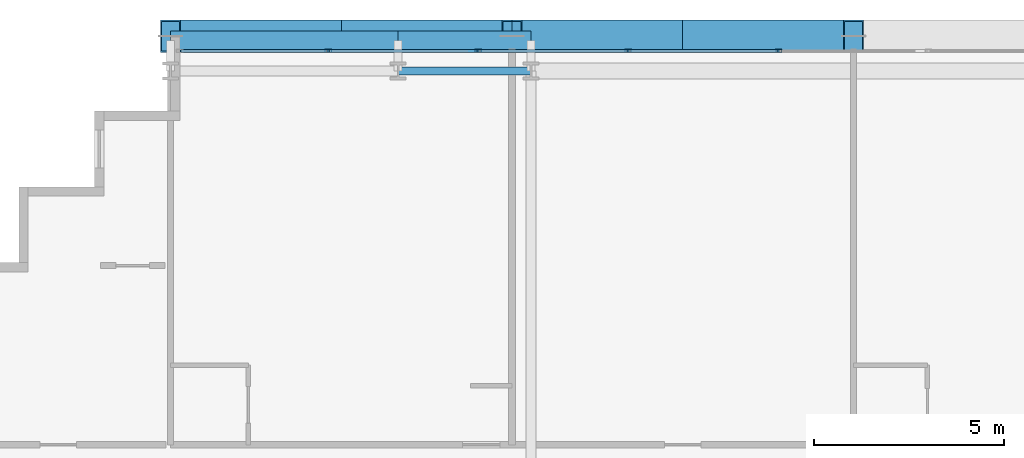
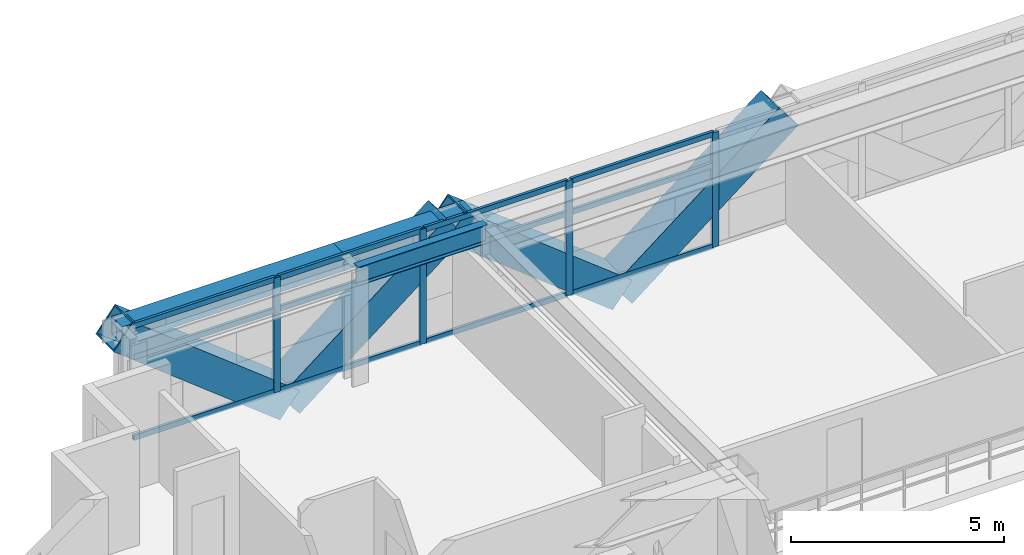
# One storey, part 18 of 35: 20 members, 3 beams, 1 element without a shape of its own.
"""IFC4 building model written with IfcOpenShell, lengths in metres."""

import ifcopenshell
import ifcopenshell.guid

model = None  # the IFC model being written
_history = None  # IfcOwnerHistory: only IFC2X3 demands one
_inside = {}  # id of a spatial element -> (the spatial element, [elements in it])
_under = {}  # id of a project, library or spatial element -> (it, [spatial elements below it])
_declared = {}  # id of a project -> (the project, [libraries it declares])
_typed = {}  # id of a type object -> (the type object, [elements of that type])
_made_of = {}  # id of a material, layer set ... -> (it, [elements and type objects made of it])


def new_model(schema):
    """Start an empty IFC model of exactly this schema.

    Asked for "IFC4X3", IfcOpenShell would pick the latest addendum, in which some entities
    have other attributes; the version numbers below select the first issue.
    IFC2X3 requires an IfcOwnerHistory on every rooted entity: one is made here for all.
    """
    global model, _history
    if schema == "IFC4X3":
        model = ifcopenshell.file(schema_version=(4, 3, 0, 0))
    else:
        model = ifcopenshell.file(schema=schema)
    _inside.clear()
    _under.clear()
    _declared.clear()
    _typed.clear()
    _made_of.clear()
    _history = None
    if model.schema == "IFC2X3":
        org = make("IfcOrganization", Name="unknown")
        user = make(
            "IfcPersonAndOrganization",
            ThePerson=make("IfcPerson", FamilyName="unknown"),
            TheOrganization=org,
        )
        app = make(
            "IfcApplication",
            ApplicationDeveloper=org,
            Version="unknown",
            ApplicationFullName="unknown",
            ApplicationIdentifier="unknown",
        )
        _history = make(
            "IfcOwnerHistory",
            OwningUser=user,
            OwningApplication=app,
            ChangeAction="ADDED",
            CreationDate=0,
        )
    return model


def make(cls, **values):
    """One entity of the class cls with the attributes given. An attribute that is None is left unset."""
    return model.create_entity(
        cls, **{name: value for name, value in values.items() if value is not None}
    )


def rooted(cls, **values):
    """An entity with a GlobalId (a new one), such as an element, a storey or a relation."""
    return make(cls, GlobalId=ifcopenshell.guid.new(), OwnerHistory=_history, **values)


def si_unit(unit_type, name, prefix=None):
    """IfcSIUnit, for example si_unit("LENGTHUNIT", "METRE", prefix="MILLI")."""
    return make("IfcSIUnit", UnitType=unit_type, Prefix=prefix, Name=name)


def assignment(units):
    """IfcUnitAssignment: the units of a project."""
    return None if units is None else make("IfcUnitAssignment", Units=units)


def point(xyz):
    """IfcCartesianPoint."""
    return None if xyz is None else make("IfcCartesianPoint", Coordinates=xyz)


def direction(xyz):
    """IfcDirection."""
    return None if xyz is None else make("IfcDirection", DirectionRatios=xyz)


def frame(location, z_axis=None, x_axis=None):
    """IfcAxis2Placement3D, a coordinate frame: its origin and axes. An axis left out is left unset."""
    return make(
        "IfcAxis2Placement3D",
        Location=point(location),
        Axis=direction(z_axis),
        RefDirection=direction(x_axis),
    )


def frame_2d(location, x_axis=None):
    """IfcAxis2Placement2D, a coordinate frame in the plane: its origin and x axis."""
    return make(
        "IfcAxis2Placement2D", Location=point(location), RefDirection=direction(x_axis)
    )


def origin():
    """The frame at (0, 0, 0) with its axes left unset."""
    return frame((0.0, 0.0, 0.0))


def origin_2d():
    """The frame at (0, 0) in the plane with its x axis left unset."""
    return frame_2d((0.0, 0.0))


def place(relative_to, where):
    """IfcLocalPlacement: puts the frame where relative to a parent placement (None: the world)."""
    return make(
        "IfcLocalPlacement", PlacementRelTo=relative_to, RelativePlacement=where
    )


def context(
    kind, dimensions, precision=None, world=None, true_north=None, identifier=None
):
    """IfcGeometricRepresentationContext, for example the 3D "Model" context."""
    return make(
        "IfcGeometricRepresentationContext",
        ContextIdentifier=identifier,
        ContextType=kind,
        CoordinateSpaceDimension=dimensions,
        Precision=precision,
        WorldCoordinateSystem=world,
        TrueNorth=true_north,
    )


def subcontext(parent, identifier, kind, view, scale=None):
    """IfcGeometricRepresentationSubContext, for example "Body" below "Model"."""
    return make(
        "IfcGeometricRepresentationSubContext",
        ContextIdentifier=identifier,
        ContextType=kind,
        ParentContext=parent,
        TargetScale=scale,
        TargetView=view,
    )


def project(units=None, contexts=None):
    """IfcProject with its units and contexts."""
    return rooted(
        "IfcProject",
        Name="project",
        RepresentationContexts=contexts,
        UnitsInContext=assignment(units),
    )


def spatial(cls, under=None, at=None, **own):
    """A site, building, storey or space (cls), placed at a placement, below another one or the project."""
    s = rooted(cls, ObjectPlacement=at, **own)
    if under is not None:
        _under.setdefault(under.id(), (under, []))[1].append(s)
    return s


def profile(cls, at=None, kind="AREA", **sizes):
    """A parametric profile (cls). Its sizes go by their IFC names, for example OverallWidth=200.0."""
    return make(cls, ProfileType=kind, Position=at, **sizes)


def hollow_rectangle(**sizes):
    """IfcRectangleHollowProfileDef."""
    return profile("IfcRectangleHollowProfileDef", **sizes)


def i_section(**sizes):
    """IfcIShapeProfileDef."""
    return profile("IfcIShapeProfileDef", **sizes)


def extrude(swept, where, along, depth):
    """IfcExtrudedAreaSolid: the profile swept, set in the frame where, extruded along a direction by depth."""
    return make(
        "IfcExtrudedAreaSolid",
        SweptArea=swept,
        Position=where,
        ExtrudedDirection=direction(along),
        Depth=depth,
    )


def shape(context_of_items, identifier, shape_type, items):
    """IfcShapeRepresentation: the items that make up one representation, for example the "Body"."""
    return make(
        "IfcShapeRepresentation",
        ContextOfItems=context_of_items,
        RepresentationIdentifier=identifier,
        RepresentationType=shape_type,
        Items=items,
    )


def source(mapping_origin, context_of_items, identifier, shape_type, items):
    """IfcRepresentationMap: a shape defined once, which mapped items show again and again."""
    return make(
        "IfcRepresentationMap",
        MappingOrigin=mapping_origin,
        MappedRepresentation=shape(context_of_items, identifier, shape_type, items),
    )


def transform(
    local_origin,
    x_axis=None,
    y_axis=None,
    z_axis=None,
    scale=None,
    scale2=None,
    scale3=None,
    uniform=True,
):
    """IfcCartesianTransformationOperator3D, or its non-uniform kind. x_axis, y_axis, z_axis: its Axis1, 2, 3."""
    if uniform:
        return make(
            "IfcCartesianTransformationOperator3D",
            Axis1=direction(x_axis),
            Axis2=direction(y_axis),
            LocalOrigin=point(local_origin),
            Scale=scale,
            Axis3=direction(z_axis),
        )
    return make(
        "IfcCartesianTransformationOperator3DnonUniform",
        Axis1=direction(x_axis),
        Axis2=direction(y_axis),
        LocalOrigin=point(local_origin),
        Scale=scale,
        Axis3=direction(z_axis),
        Scale2=scale2,
        Scale3=scale3,
    )


def mapped(mapping_source, mapping_target):
    """IfcMappedItem: shows the shape of a source again, moved by a transform."""
    return make(
        "IfcMappedItem", MappingSource=mapping_source, MappingTarget=mapping_target
    )


def material(Name=None, Category=None):
    """IfcMaterial."""
    return make("IfcMaterial", Name=Name, Category=Category)


def layer(
    of_material, thickness, ventilated=None, Name=None, Category=None, Priority=None
):
    """IfcMaterialLayer: one layer of a wall or slab, of a material (None: an air gap)."""
    return make(
        "IfcMaterialLayer",
        Material=of_material,
        LayerThickness=thickness,
        IsVentilated=ventilated,
        Name=Name,
        Category=Category,
        Priority=Priority,
    )


def layer_set(layers, Name=None):
    """IfcMaterialLayerSet."""
    return make("IfcMaterialLayerSet", MaterialLayers=layers, LayerSetName=Name)


def material_profile(
    of_material, cross_section, Name=None, Category=None, Priority=None
):
    """IfcMaterialProfile: a cross section and its material."""
    return make(
        "IfcMaterialProfile",
        Name=Name,
        Material=of_material,
        Profile=cross_section,
        Priority=Priority,
        Category=Category,
    )


def profile_set(profiles, Name=None, composite=None):
    """IfcMaterialProfileSet."""
    return make(
        "IfcMaterialProfileSet",
        Name=Name,
        MaterialProfiles=profiles,
        CompositeProfile=composite,
    )


def made_of(thing, what):
    """Note that an element or type object is made of a material, layer set ...; save() writes the relation."""
    if what is not None:
        _made_of.setdefault(what.id(), (what, []))[1].append(thing)
    return thing


def type_object(cls, material=None, **own):
    """A type object (cls), such as IfcWallType, which elements share."""
    return made_of(rooted(cls, **own), material)


def element(
    cls,
    number,
    at=None,
    inside=None,
    cuts=None,
    type_object=None,
    material=None,
    context=None,
    identifier="Body",
    shape_type=None,
    held_by="IfcProductDefinitionShape",
    body=None,
    shapes=None,
    **own,
):
    """One element of the class cls, such as IfcWall. Its Tag is "e" and its number.

    at: its placement. inside: the storey or other place that contains it. cuts: it is an
    opening in that element (IfcRelVoidsElement). A single representation is given by context,
    identifier, shape_type and body (its items); several are given by shapes. held_by: the class
    of the entity that holds the representations. save() writes the other relations.
    """
    e = rooted(cls, Tag="e%d" % number, ObjectPlacement=at, **own)
    if body is not None:
        shapes = [shape(context, identifier, shape_type, body)]
    if shapes is not None:
        e.Representation = make(held_by, Representations=shapes)
    if inside is not None:
        _inside.setdefault(inside.id(), (inside, []))[1].append(e)
    if cuts is not None:
        rooted(
            "IfcRelVoidsElement", RelatingBuildingElement=cuts, RelatedOpeningElement=e
        )
    if type_object is not None:
        _typed.setdefault(type_object.id(), (type_object, []))[1].append(e)
    return made_of(e, material)


def aggregate(whole, parts):
    """IfcRelAggregates: a whole, such as a stair, and the parts it consists of."""
    return rooted("IfcRelAggregates", RelatingObject=whole, RelatedObjects=parts)


def save(model, path):
    """Write the relations noted so far, then the file.

    IfcRelAggregates (storeys below a building ...), IfcRelContainedInSpatialStructure (elements
    in a storey), IfcRelDefinesByType, IfcRelAssociatesMaterial and IfcRelDeclares: one each for
    every whole, place, type object, material and project.
    """
    for whole, parts in _under.values():
        aggregate(whole, parts)
    for where, things in _inside.values():
        rooted(
            "IfcRelContainedInSpatialStructure",
            RelatedElements=things,
            RelatingStructure=where,
        )
    for kind, things in _typed.values():
        rooted("IfcRelDefinesByType", RelatedObjects=things, RelatingType=kind)
    for what, things in _made_of.values():
        rooted("IfcRelAssociatesMaterial", RelatedObjects=things, RelatingMaterial=what)
    for by, libraries in _declared.values():
        rooted("IfcRelDeclares", RelatingContext=by, RelatedDefinitions=libraries)
    model.write(path)


model = new_model("IFC4")

# Units and contexts
model_context = context("Model", 3, precision=1e-05, world=origin(), true_north=direction((0.0, 1.0)))
body_context = subcontext(model_context, "Body", "Model", "MODEL_VIEW")
ifc_project = project(units=[si_unit("LENGTHUNIT", "METRE"), si_unit("AREAUNIT", "SQUARE_METRE"), si_unit("VOLUMEUNIT", "CUBIC_METRE"), si_unit("PLANEANGLEUNIT", "RADIAN"), si_unit("MASSUNIT", "GRAM", prefix="KILO")], contexts=[model_context])

# Site, building, storey
site_placement = place(None, origin())
site = spatial("IfcSite", under=ifc_project, at=site_placement, CompositionType="ELEMENT")
building_placement = place(site_placement, origin())
building = spatial("IfcBuilding", under=site, at=building_placement, Name="Ocotamira Hotel", CompositionType="ELEMENT")
storey_placement = place(building_placement, frame((0.0, 0.0, 81.60009765625)))
storey = spatial("IfcBuildingStorey", under=building, at=storey_placement, Name="L20", CompositionType="ELEMENT", Elevation=81.60009765625)

# Beams
ifc_material_1 = material(Name="Steel ASTM A992 Grade 50", Category="steel")
ifc_material_profile_1 = material_profile(ifc_material_1, i_section(OverallWidth=0.2099609375, OverallDepth=0.537109375, WebThickness=0.010986328125, FlangeThickness=0.017333984375, FilletRadius=0.012939453125, at=origin_2d()), Name="W21X68")
ifc_profile_set_1 = profile_set([ifc_material_profile_1], Name="Steel ASTM A992 Grade 50")
beam_type_1 = type_object("IfcBeamType", Name="BM-SEC-W21X68", PredefinedType="JOIST", material=ifc_profile_set_1)
shared_shape_1 = source(origin(), body_context, "Body", "SweptSolid", [
    extrude(i_section(OverallWidth=0.2099609375, OverallDepth=0.537109375, WebThickness=0.010986328125, FlangeThickness=0.017333984375, FilletRadius=0.012939453125, at=origin_2d()), origin(), (0.0, 0.0, 1.0), 3.5),
])
beam_1_placement = place(storey_placement, frame((20.0, 49.050048828125, 3.011474609375), z_axis=(1.0, 0.0, 0.0), x_axis=(0.0, 1.0, 0.0)))
element("IfcBeam", 1, at=beam_1_placement, inside=storey, type_object=beam_type_1, Name="L20 Girder Y49.05 X20-23.5", PredefinedType="JOIST", context=body_context, shape_type="MappedRepresentation", body=[
    mapped(shared_shape_1, transform((0.0, 0.0, 0.0), scale=1.0)),
])
ifc_material_2 = material(Name="Steel ASTM A500 Grade C", Category="steel")
ifc_material_profile_2 = material_profile(ifc_material_2, hollow_rectangle(XDim=0.5, YDim=0.5, WallThickness=0.02001953125, at=origin_2d()), Name="HSS500X500X20")
ifc_profile_set_2 = profile_set([ifc_material_profile_2], Name="Steel ASTM A500 Grade C")
beam_type_2 = type_object("IfcBeamType", Name="BM-SPAN-HSS500", PredefinedType="USERDEFINED", material=ifc_profile_set_2)
shared_shape_2 = source(origin(), body_context, "Body", "SweptSolid", [
    extrude(hollow_rectangle(XDim=0.5, YDim=0.5, WallThickness=0.02001953125, at=origin_2d()), origin(), (0.0, 0.0, 1.0), 6.0),
])
beam_2_placement = place(storey_placement, frame((14.0, 49.85009765625, 3.02978515625), z_axis=(1.0, 0.0, 0.0), x_axis=(0.0, 1.0, 0.0)))
element("IfcBeam", 2, at=beam_2_placement, inside=storey, type_object=beam_type_2, Name="L20 Edge Spandrel N X14-20", ObjectType="SPANDREL", PredefinedType="USERDEFINED", context=body_context, shape_type="MappedRepresentation", body=[
    mapped(shared_shape_2, transform((0.0, 0.0, 0.0), scale=1.0)),
])
shared_shape_3 = source(origin(), body_context, "Body", "SweptSolid", [
    extrude(hollow_rectangle(XDim=0.5, YDim=0.5, WallThickness=0.02001953125, at=origin_2d()), origin(), (0.0, 0.0, 1.0), 3.5),
])
beam_3_placement = place(storey_placement, frame((20.0, 49.85009765625, 3.02978515625), z_axis=(1.0, 0.0, 0.0), x_axis=(0.0, 1.0, 0.0)))
element("IfcBeam", 3, at=beam_3_placement, inside=storey, type_object=beam_type_2, Name="L20 Edge Spandrel N X20-23.5", ObjectType="SPANDREL", PredefinedType="USERDEFINED", context=body_context, shape_type="MappedRepresentation", body=[
    mapped(shared_shape_3, transform((0.0, 0.0, 0.0), scale=1.0)),
])

# Members
ifc_material_3 = material(Name="Pale-metal coated steel ASTM A913 Grade 65", Category="steel")
ifc_material_profile_3 = material_profile(ifc_material_3, hollow_rectangle(XDim=0.85009765625, YDim=0.85009765625, WallThickness=0.035888671875, at=origin_2d()), Name="BOX850X850X36")
ifc_profile_set_3 = profile_set([ifc_material_profile_3], Name="Pale-metal coated steel ASTM A913 Grade 65")
member_type_1 = type_object("IfcMemberType", Name="MEM-EXO-BOX850", PredefinedType="BRACE", material=ifc_profile_set_3)
shared_shape_4 = source(origin(), body_context, "Body", "SweptSolid", [
    extrude(hollow_rectangle(XDim=0.85009765625, YDim=0.85009765625, WallThickness=0.035888671875, at=origin_2d()), origin(), (0.0, 0.0, 1.0), 5.71923828125),
])
for number, where, z_axis, x_axis, name in (
    (4, (18.5, 49.969970703125, -0.5), (-0.786821712922, 0.0, 0.617180356197), (0.0, -1.0, 0.0), "L20 Exoskeleton Diagrid N0.1"),
    (5, (18.5, 49.969970703125, -0.5), (0.786821712922, 0.0, 0.617180356197), (0.0, 1.0, 0.0), "L20 Exoskeleton Diagrid N0.2"),
    (6, (27.5, 49.969970703125, -0.5), (-0.786821712922, 0.0, 0.617180356197), (0.0, -1.0, 0.0), "L20 Exoskeleton Diagrid N1.1"),
    (7, (27.5, 49.969970703125, -0.5), (0.786821712922, 0.0, 0.617180356197), (0.0, 1.0, 0.0), "L20 Exoskeleton Diagrid N1.2"),
):
    element("IfcMember", number, at=place(storey_placement, frame(where, z_axis=z_axis, x_axis=x_axis)), inside=storey, type_object=member_type_1, Name=name, PredefinedType="BRACE", context=body_context, shape_type="MappedRepresentation", body=[
        mapped(shared_shape_4, transform((0.0, 0.0, 0.0), scale=1.0)),
    ])

# Curtain wall, members
ifc_material_4 = material(Name="Anodised pale-metal aluminium and solar glass", Category="aluminium")
ifc_layer = layer(ifc_material_4, 0.179931640625)
ifc_layer_set = layer_set([ifc_layer], Name="Anodised pale-metal aluminium and solar glass")
curtain_wall_type = type_object("IfcCurtainWallType", Name="CW-SYS2-Z1", PredefinedType="NOTDEFINED", material=ifc_layer_set)
curtain_wall_placement = place(storey_placement, origin())
curtain_wall = element("IfcCurtainWall", 8, at=curtain_wall_placement, inside=storey, type_object=curtain_wall_type, Name="L20 Curtain Wall CW-2 CW-L20-N", PredefinedType="NOTDEFINED")
ifc_material_5 = material(Name="Anodised pale-metal aluminium 6063-T6", Category="aluminium")
ifc_material_profile_4 = material_profile(ifc_material_5, hollow_rectangle(XDim=0.074951171875, YDim=0.14990234375, WallThickness=0.006103515625, at=origin_2d()), Name="HSS150X75X6")
ifc_profile_set_4 = profile_set([ifc_material_profile_4], Name="Anodised pale-metal aluminium 6063-T6")
member_type_2 = type_object("IfcMemberType", Name="CWT-150X75", PredefinedType="USERDEFINED", material=ifc_profile_set_4)
shared_shape_5 = source(origin(), body_context, "Body", "SweptSolid", [
    extrude(hollow_rectangle(XDim=0.074951171875, YDim=0.14990234375, WallThickness=0.006103515625, at=origin_2d()), origin(), (0.0, 0.0, 1.0), 3.83544921875),
])
member_1_placement = place(storey_placement, frame((14.280029296875, 49.580078125, 0.037353515625), z_axis=(1.0, 0.0, 0.0), x_axis=(0.0, 1.0, 0.0)))
member_1 = element("IfcMember", 9, at=member_1_placement, type_object=member_type_2, Name="CW-2 transom 1.1", ObjectType="TRANSOM", PredefinedType="USERDEFINED", context=body_context, shape_type="MappedRepresentation", body=[
    mapped(shared_shape_5, transform((0.0, 0.0, 0.0), scale=1.0)),
])
member_2_placement = place(storey_placement, frame((14.280029296875, 49.580078125, 2.349853515625), z_axis=(1.0, 0.0, 0.0), x_axis=(0.0, 1.0, 0.0)))
member_2 = element("IfcMember", 10, at=member_2_placement, type_object=member_type_2, Name="CW-2 transom 1.2", ObjectType="TRANSOM", PredefinedType="USERDEFINED", context=body_context, shape_type="MappedRepresentation", body=[
    mapped(shared_shape_5, transform((0.0, 0.0, 0.0), scale=1.0)),
])
member_3_placement = place(storey_placement, frame((14.280029296875, 49.580078125, 3.242431640625), z_axis=(1.0, 0.0, 0.0), x_axis=(0.0, 1.0, 0.0)))
member_3 = element("IfcMember", 11, at=member_3_placement, type_object=member_type_2, Name="CW-2 transom 1.3", ObjectType="TRANSOM", PredefinedType="USERDEFINED", context=body_context, shape_type="MappedRepresentation", body=[
    mapped(shared_shape_5, transform((0.0, 0.0, 0.0), scale=1.0)),
])
shared_shape_6 = source(origin(), body_context, "Body", "SweptSolid", [
    extrude(hollow_rectangle(XDim=0.074951171875, YDim=0.14990234375, WallThickness=0.006103515625, at=origin_2d()), origin(), (0.0, 0.0, 1.0), 3.87548828125),
])
member_4_placement = place(storey_placement, frame((18.195556640625, 49.580078125, 0.037353515625), z_axis=(1.0, 0.0, 0.0), x_axis=(0.0, 1.0, 0.0)))
member_4 = element("IfcMember", 12, at=member_4_placement, type_object=member_type_2, Name="CW-2 transom 2.1", ObjectType="TRANSOM", PredefinedType="USERDEFINED", context=body_context, shape_type="MappedRepresentation", body=[
    mapped(shared_shape_6, transform((0.0, 0.0, 0.0), scale=1.0)),
])
member_5_placement = place(storey_placement, frame((18.195556640625, 49.580078125, 2.349853515625), z_axis=(1.0, 0.0, 0.0), x_axis=(0.0, 1.0, 0.0)))
member_5 = element("IfcMember", 13, at=member_5_placement, type_object=member_type_2, Name="CW-2 transom 2.2", ObjectType="TRANSOM", PredefinedType="USERDEFINED", context=body_context, shape_type="MappedRepresentation", body=[
    mapped(shared_shape_6, transform((0.0, 0.0, 0.0), scale=1.0)),
])
member_6_placement = place(storey_placement, frame((18.195556640625, 49.580078125, 3.242431640625), z_axis=(1.0, 0.0, 0.0), x_axis=(0.0, 1.0, 0.0)))
member_6 = element("IfcMember", 14, at=member_6_placement, type_object=member_type_2, Name="CW-2 transom 2.3", ObjectType="TRANSOM", PredefinedType="USERDEFINED", context=body_context, shape_type="MappedRepresentation", body=[
    mapped(shared_shape_6, transform((0.0, 0.0, 0.0), scale=1.0)),
])
member_7_placement = place(storey_placement, frame((22.151123046875, 49.580078125, 0.037353515625), z_axis=(1.0, 0.0, 0.0), x_axis=(0.0, 1.0, 0.0)))
member_7 = element("IfcMember", 15, at=member_7_placement, type_object=member_type_2, Name="CW-2 transom 3.1", ObjectType="TRANSOM", PredefinedType="USERDEFINED", context=body_context, shape_type="MappedRepresentation", body=[
    mapped(shared_shape_6, transform((0.0, 0.0, 0.0), scale=1.0)),
])
member_8_placement = place(storey_placement, frame((22.151123046875, 49.580078125, 2.349853515625), z_axis=(1.0, 0.0, 0.0), x_axis=(0.0, 1.0, 0.0)))
member_8 = element("IfcMember", 16, at=member_8_placement, type_object=member_type_2, Name="CW-2 transom 3.2", ObjectType="TRANSOM", PredefinedType="USERDEFINED", context=body_context, shape_type="MappedRepresentation", body=[
    mapped(shared_shape_6, transform((0.0, 0.0, 0.0), scale=1.0)),
])
member_9_placement = place(storey_placement, frame((22.151123046875, 49.580078125, 3.242431640625), z_axis=(1.0, 0.0, 0.0), x_axis=(0.0, 1.0, 0.0)))
member_9 = element("IfcMember", 17, at=member_9_placement, type_object=member_type_2, Name="CW-2 transom 3.3", ObjectType="TRANSOM", PredefinedType="USERDEFINED", context=body_context, shape_type="MappedRepresentation", body=[
    mapped(shared_shape_6, transform((0.0, 0.0, 0.0), scale=1.0)),
])
member_10_placement = place(storey_placement, frame((26.106689453125, 49.580078125, 0.037353515625), z_axis=(1.0, 0.0, 0.0), x_axis=(0.0, 1.0, 0.0)))
member_10 = element("IfcMember", 18, at=member_10_placement, type_object=member_type_2, Name="CW-2 transom 4.1", ObjectType="TRANSOM", PredefinedType="USERDEFINED", context=body_context, shape_type="MappedRepresentation", body=[
    mapped(shared_shape_6, transform((0.0, 0.0, 0.0), scale=1.0)),
])
member_11_placement = place(storey_placement, frame((26.106689453125, 49.580078125, 2.349853515625), z_axis=(1.0, 0.0, 0.0), x_axis=(0.0, 1.0, 0.0)))
member_11 = element("IfcMember", 19, at=member_11_placement, type_object=member_type_2, Name="CW-2 transom 4.2", ObjectType="TRANSOM", PredefinedType="USERDEFINED", context=body_context, shape_type="MappedRepresentation", body=[
    mapped(shared_shape_6, transform((0.0, 0.0, 0.0), scale=1.0)),
])
member_12_placement = place(storey_placement, frame((26.106689453125, 49.580078125, 3.242431640625), z_axis=(1.0, 0.0, 0.0), x_axis=(0.0, 1.0, 0.0)))
member_12 = element("IfcMember", 20, at=member_12_placement, type_object=member_type_2, Name="CW-2 transom 4.3", ObjectType="TRANSOM", PredefinedType="USERDEFINED", context=body_context, shape_type="MappedRepresentation", body=[
    mapped(shared_shape_6, transform((0.0, 0.0, 0.0), scale=1.0)),
])
ifc_material_profile_5 = material_profile(ifc_material_5, hollow_rectangle(XDim=0.080078125, YDim=0.179931640625, WallThickness=0.006103515625, at=origin_2d()), Name="HSS180X80X6")
ifc_profile_set_5 = profile_set([ifc_material_profile_5], Name="Anodised pale-metal aluminium 6063-T6")
member_type_3 = type_object("IfcMemberType", Name="CWM-180X75", PredefinedType="MULLION", material=ifc_profile_set_5)
shared_shape_7 = source(origin(), body_context, "Body", "SweptSolid", [
    extrude(hollow_rectangle(XDim=0.080078125, YDim=0.179931640625, WallThickness=0.006103515625, at=origin_2d()), origin(), (0.0, 0.0, 1.0), 3.27978515625),
])
member_13_placement = place(storey_placement, frame((18.155517578125, 49.580078125, 0.0), z_axis=(0.0, 0.0, 1.0), x_axis=(0.0, 1.0, 0.0)))
member_13 = element("IfcMember", 21, at=member_13_placement, type_object=member_type_3, Name="CW-2 mullion 2", PredefinedType="MULLION", context=body_context, shape_type="MappedRepresentation", body=[
    mapped(shared_shape_7, transform((0.0, 0.0, 0.0), scale=1.0)),
])
member_14_placement = place(storey_placement, frame((22.111083984375, 49.580078125, 0.0), z_axis=(0.0, 0.0, 1.0), x_axis=(0.0, 1.0, 0.0)))
member_14 = element("IfcMember", 22, at=member_14_placement, type_object=member_type_3, Name="CW-2 mullion 3", PredefinedType="MULLION", context=body_context, shape_type="MappedRepresentation", body=[
    mapped(shared_shape_7, transform((0.0, 0.0, 0.0), scale=1.0)),
])
member_15_placement = place(storey_placement, frame((26.066650390625, 49.580078125, 0.0), z_axis=(0.0, 0.0, 1.0), x_axis=(0.0, 1.0, 0.0)))
member_15 = element("IfcMember", 23, at=member_15_placement, type_object=member_type_3, Name="CW-2 mullion 4", PredefinedType="MULLION", context=body_context, shape_type="MappedRepresentation", body=[
    mapped(shared_shape_7, transform((0.0, 0.0, 0.0), scale=1.0)),
])
member_16_placement = place(storey_placement, frame((30.022216796875, 49.580078125, 0.0), z_axis=(0.0, 0.0, 1.0), x_axis=(0.0, 1.0, 0.0)))
member_16 = element("IfcMember", 24, at=member_16_placement, type_object=member_type_3, Name="CW-2 mullion 5", PredefinedType="MULLION", context=body_context, shape_type="MappedRepresentation", body=[
    mapped(shared_shape_7, transform((0.0, 0.0, 0.0), scale=1.0)),
])
aggregate(curtain_wall, [member_13, member_14, member_15, member_16, member_1, member_2, member_3, member_4, member_5, member_6, member_7, member_8, member_9, member_10, member_11, member_12])

save(model, "model.ifc")
